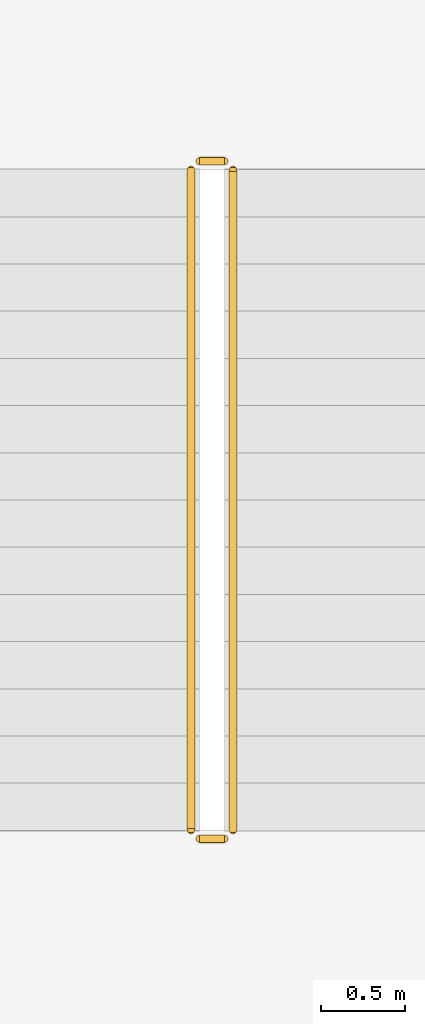
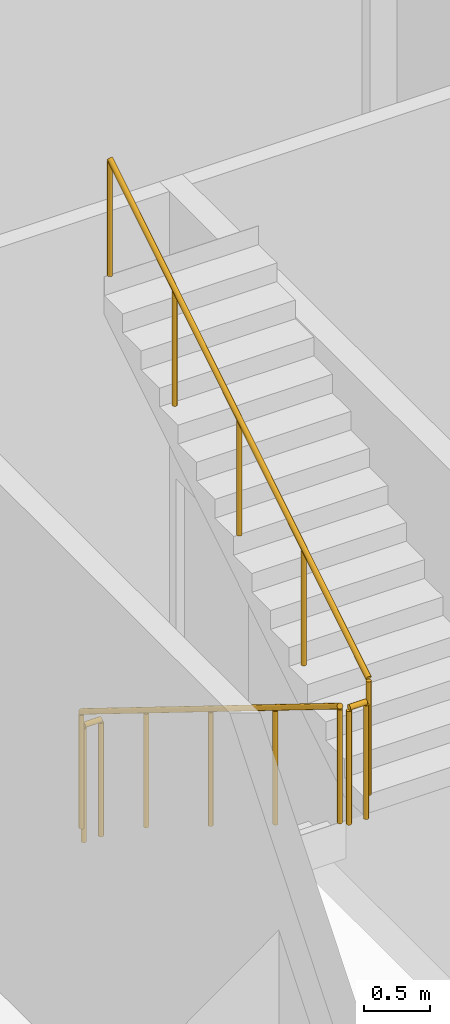
# One storey, part 24 of 25: 4 railings.
"""IFC4 building model written with IfcOpenShell, lengths in metres."""

from ifc_helpers import new_model, si_unit, direction, frame, origin, origin_2d, place, context, subcontext, project, spatial, circle, extrude, material, type_object, element, save


model = new_model("IFC4")

# Units and contexts
model_context = context("Model", 3, precision=1e-05, world=origin(), true_north=direction((0.0, 1.0)))
body_context = subcontext(model_context, "Body", "Model", "MODEL_VIEW")
ifc_project = project(units=[si_unit("LENGTHUNIT", "METRE"), si_unit("AREAUNIT", "SQUARE_METRE"), si_unit("VOLUMEUNIT", "CUBIC_METRE"), si_unit("PLANEANGLEUNIT", "RADIAN"), si_unit("MASSUNIT", "GRAM", prefix="KILO")], contexts=[model_context])

# Site, building, storey
site_placement = place(None, origin())
site = spatial("IfcSite", under=ifc_project, at=site_placement, CompositionType="ELEMENT")
building_placement = place(site_placement, origin())
building = spatial("IfcBuilding", under=site, at=building_placement, Name="Kawkab Arch Medical Tower", CompositionType="ELEMENT")
storey_placement = place(building_placement, frame((0.0, 0.0, 29.0)))
storey = spatial("IfcBuildingStorey", under=building, at=storey_placement, Name="L06", CompositionType="ELEMENT", Elevation=29.0)

# Railings
ifc_material = material(Name="Stainless steel", Category="steel")
railing_type = type_object("IfcRailingType", Name="Stair guard 1100", PredefinedType="GUARDRAIL", material=ifc_material)
railing_1_placement = place(storey_placement, frame((44.39990234375, -1.800048828125, 0.17333984375)))
element("IfcRailing", 1, at=railing_1_placement, inside=storey, type_object=railing_type, Name="L06 ST5 stair guard 1", PredefinedType="GUARDRAIL", context=body_context, shape_type="SweptSolid", body=[
    extrude(circle(Radius=0.02392578125, at=origin_2d()), frame((0.0, 0.0, 1.076171875), z_axis=(0.0, -0.850251603719, 0.526376491091), x_axis=(1.0, 0.0, 0.0)), (0.0, 0.0, 1.0), 4.6103515625),
    extrude(circle(Radius=0.02099609375, at=origin_2d()), origin(), (0.0, 0.0, 1.0), 1.052001953125),
    extrude(circle(Radius=0.02099609375, at=origin_2d()), frame((0.0, -0.97998046875, 0.606689453125)), (0.0, 0.0, 1.0), 1.052001953125),
    extrude(circle(Radius=0.02099609375, at=origin_2d()), frame((0.0, -1.9599609375, 1.21337890625)), (0.0, 0.0, 1.0), 1.052001953125),
    extrude(circle(Radius=0.02099609375, at=origin_2d()), frame((0.0, -2.93994140625, 1.820068359375)), (0.0, 0.0, 1.0), 1.052001953125),
    extrude(circle(Radius=0.02099609375, at=origin_2d()), frame((0.0, -3.919921875, 2.4267578125)), (0.0, 0.0, 1.0), 1.052001953125),
])
railing_2_placement = place(storey_placement, frame((44.449951171875, -5.77001953125, 2.60009765625)))
element("IfcRailing", 2, at=railing_2_placement, inside=storey, type_object=railing_type, Name="L06 ST5 stair guard 2", PredefinedType="GUARDRAIL", context=body_context, shape_type="SweptSolid", body=[
    extrude(circle(Radius=0.02392578125, at=origin_2d()), frame((0.0, 0.0, 1.076171875), z_axis=(1.0, 0.0, 0.0), x_axis=(0.0, 1.0, 0.0)), (0.0, 0.0, 1.0), 0.150146484375),
    extrude(circle(Radius=0.02099609375, at=origin_2d()), origin(), (0.0, 0.0, 1.0), 1.052001953125),
    extrude(circle(Radius=0.02099609375, at=origin_2d()), frame((0.150146484375, 0.0, 0.0)), (0.0, 0.0, 1.0), 1.052001953125),
])
railing_3_placement = place(storey_placement, frame((44.64990234375, -5.719970703125, 2.7734375)))
element("IfcRailing", 3, at=railing_3_placement, inside=storey, type_object=railing_type, Name="L06 ST5 stair guard 3", PredefinedType="GUARDRAIL", context=body_context, shape_type="SweptSolid", body=[
    extrude(circle(Radius=0.02392578125, at=origin_2d()), frame((0.0, 0.0, 1.076171875), z_axis=(0.0, 0.850275303828, 0.526338206574), x_axis=(-1.0, 0.0, 0.0)), (0.0, 0.0, 1.0), 4.610107421875),
    extrude(circle(Radius=0.02099609375, at=origin_2d()), origin(), (0.0, 0.0, 1.0), 1.052001953125),
    extrude(circle(Radius=0.02099609375, at=origin_2d()), frame((0.0, 0.97998046875, 0.606689453125)), (0.0, 0.0, 1.0), 1.052001953125),
    extrude(circle(Radius=0.02099609375, at=origin_2d()), frame((0.0, 1.9599609375, 1.21337890625)), (0.0, 0.0, 1.0), 1.052001953125),
    extrude(circle(Radius=0.02099609375, at=origin_2d()), frame((0.0, 2.93994140625, 1.81982421875)), (0.0, 0.0, 1.0), 1.052001953125),
    extrude(circle(Radius=0.02099609375, at=origin_2d()), frame((0.0, 3.919921875, 2.426513671875)), (0.0, 0.0, 1.0), 1.052001953125),
])
railing_4_placement = place(storey_placement, frame((44.449951171875, -1.75, 0.0)))
element("IfcRailing", 4, at=railing_4_placement, inside=storey, type_object=railing_type, Name="L06 ST5 stair guard 4", PredefinedType="GUARDRAIL", context=body_context, shape_type="SweptSolid", body=[
    extrude(circle(Radius=0.02392578125, at=origin_2d()), frame((0.0, 0.0, 1.076171875), z_axis=(1.0, 0.0, 0.0), x_axis=(0.0, 1.0, 0.0)), (0.0, 0.0, 1.0), 0.150146484375),
    extrude(circle(Radius=0.02099609375, at=origin_2d()), origin(), (0.0, 0.0, 1.0), 1.052001953125),
    extrude(circle(Radius=0.02099609375, at=origin_2d()), frame((0.150146484375, 0.0, 0.0)), (0.0, 0.0, 1.0), 1.052001953125),
])

save(model, "model.ifc")
